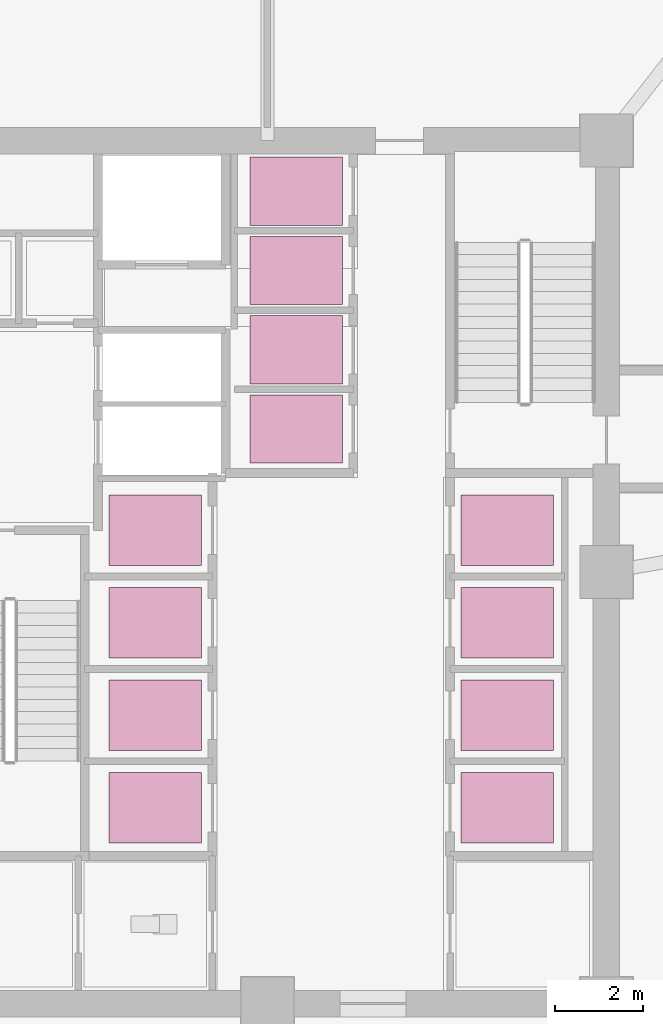
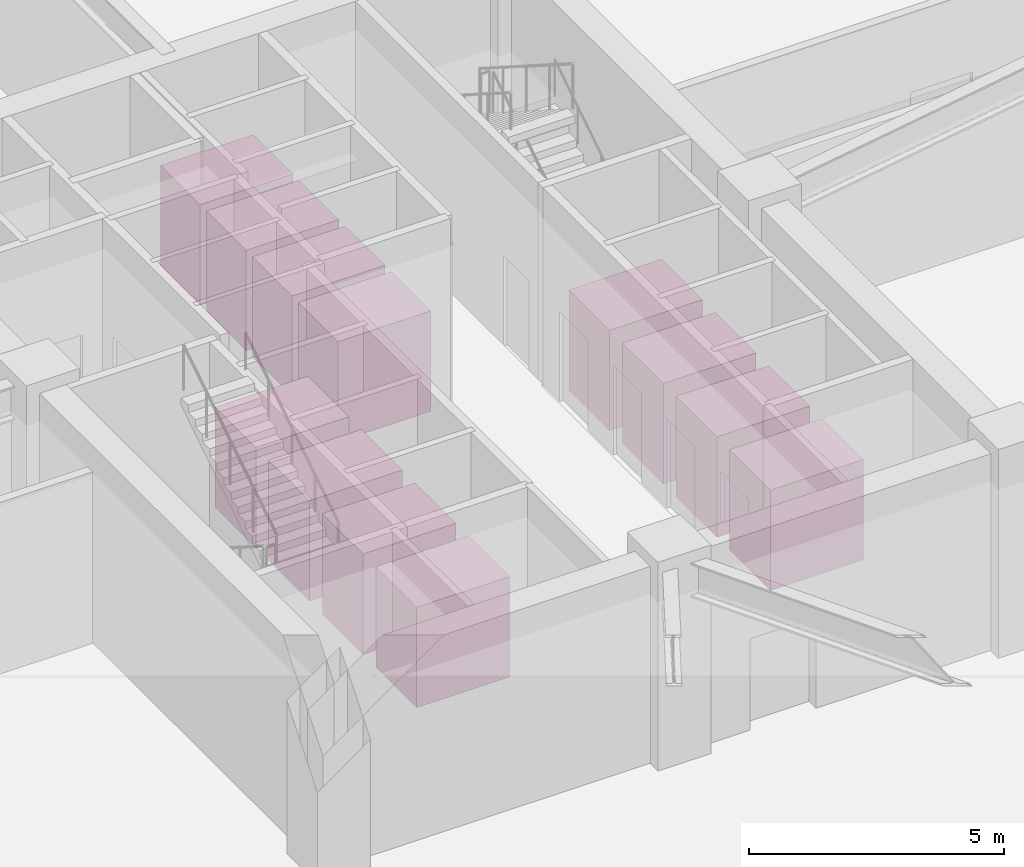
# One storey, part 22 of 22: 12 transport elements.
"""IFC4 building model written with IfcOpenShell, lengths in metres."""

from ifc_helpers import new_model, si_unit, direction, frame, origin, origin_2d, place, context, subcontext, project, spatial, rectangle, extrude, material, type_object, element, save


model = new_model("IFC4")

# Units and contexts
model_context = context("Model", 3, precision=1e-05, world=origin(), true_north=direction((0.0, 1.0)))
body_context = subcontext(model_context, "Body", "Model", "MODEL_VIEW")
ifc_project = project(units=[si_unit("LENGTHUNIT", "METRE"), si_unit("AREAUNIT", "SQUARE_METRE"), si_unit("VOLUMEUNIT", "CUBIC_METRE"), si_unit("PLANEANGLEUNIT", "RADIAN"), si_unit("MASSUNIT", "GRAM", prefix="KILO")], contexts=[model_context])

# Site, building, storey
site_placement = place(None, origin())
site = spatial("IfcSite", under=ifc_project, at=site_placement, CompositionType="ELEMENT")
building_placement = place(site_placement, origin())
building = spatial("IfcBuilding", under=site, at=building_placement, Name="Savorim Split Tower", CompositionType="ELEMENT")
storey_placement = place(building_placement, origin())
storey = spatial("IfcBuildingStorey", under=building, at=storey_placement, Name="L00", CompositionType="ELEMENT", Elevation=0.0)

# Transport elements
ifc_material = material(Name="Galvanised Painted Steel Balustrade", Category="steel")
transport_element_type = type_object("IfcTransportElementType", Name="LFT-PAS-1600", PredefinedType="ELEVATOR", material=ifc_material)
for number, where, z_axis, x_axis, name in (
    (1, (5.449951171875, -4.949951171875, 0.0), (0.0, 0.0, 1.0), (1.0, 0.0, 0.0), "Low-Rise Passenger Lift PL-L1"),
    (2, (5.449951171875, -2.85009765625, 0.0), (0.0, 0.0, 1.0), (1.0, 0.0, 0.0), "Low-Rise Passenger Lift PL-L2"),
    (3, (5.449951171875, -0.75, 0.0), (0.0, 0.0, 1.0), (1.0, 0.0, 0.0), "Low-Rise Passenger Lift PL-L3"),
    (4, (5.449951171875, 1.35009765625, 0.0), (0.0, 0.0, 1.0), (1.0, 0.0, 0.0), "Low-Rise Passenger Lift PL-L4"),
    (5, (-2.550048828125, -4.949951171875, 0.0), (0.0, 0.0, 1.0), (1.0, 0.0, 0.0), "Mid-Rise Passenger Lift PL-M1"),
    (6, (-2.550048828125, -2.85009765625, 0.0), (0.0, 0.0, 1.0), (1.0, 0.0, 0.0), "Mid-Rise Passenger Lift PL-M2"),
    (7, (-2.550048828125, -0.75, 0.0), (0.0, 0.0, 1.0), (1.0, 0.0, 0.0), "Mid-Rise Passenger Lift PL-M3"),
    (8, (-2.550048828125, 1.35009765625, 0.0), (0.0, 0.0, 1.0), (1.0, 0.0, 0.0), "Mid-Rise Passenger Lift PL-M4"),
):
    element("IfcTransportElement", number, at=place(storey_placement, frame(where, z_axis=z_axis, x_axis=x_axis)), inside=storey, type_object=transport_element_type, Name=name, PredefinedType="ELEVATOR", context=body_context, shape_type="SweptSolid", body=[
        extrude(rectangle(XDim=2.10009765625, YDim=1.60009765625, at=origin_2d()), origin(), (0.0, 0.0, 1.0), 2.39990234375),
    ])
for number, where, z_axis, x_axis, name in (
    (9, (0.64990234375, 3.64990234375, 0.0), (0.0, 0.0, 1.0), (1.0, 0.0, 0.0), "High-Rise Passenger Lift PL-H1"),
    (10, (0.64990234375, 5.449951171875, 0.0), (0.0, 0.0, 1.0), (1.0, 0.0, 0.0), "High-Rise Passenger Lift PL-H2"),
    (11, (0.64990234375, 7.25, 0.0), (0.0, 0.0, 1.0), (1.0, 0.0, 0.0), "High-Rise Passenger Lift PL-H3"),
    (12, (0.64990234375, 9.050048828125, 0.0), (0.0, 0.0, 1.0), (1.0, 0.0, 0.0), "High-Rise Passenger Lift PL-H4"),
):
    element("IfcTransportElement", number, at=place(storey_placement, frame(where, z_axis=z_axis, x_axis=x_axis)), inside=storey, type_object=transport_element_type, Name=name, PredefinedType="ELEVATOR", context=body_context, shape_type="SweptSolid", body=[
        extrude(rectangle(XDim=2.10009765625, YDim=1.550048828125, at=origin_2d()), origin(), (0.0, 0.0, 1.0), 2.39990234375),
    ])

save(model, "model.ifc")
